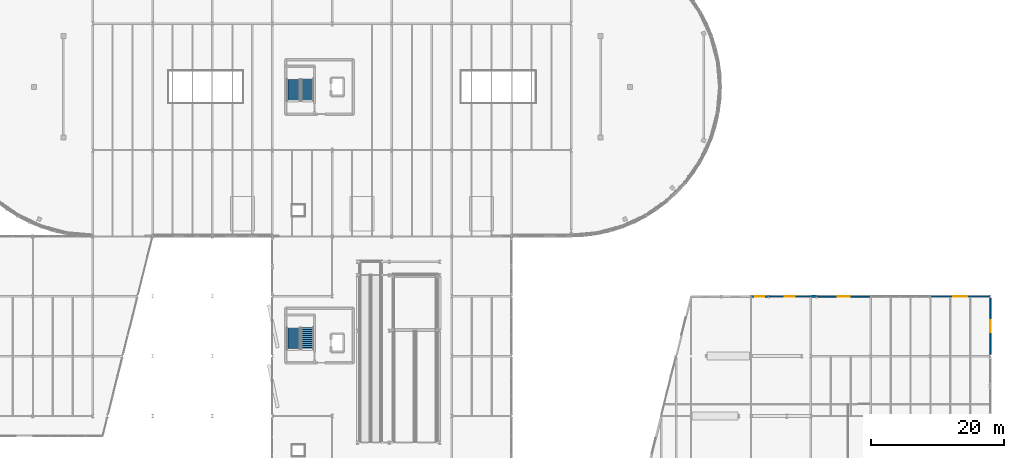
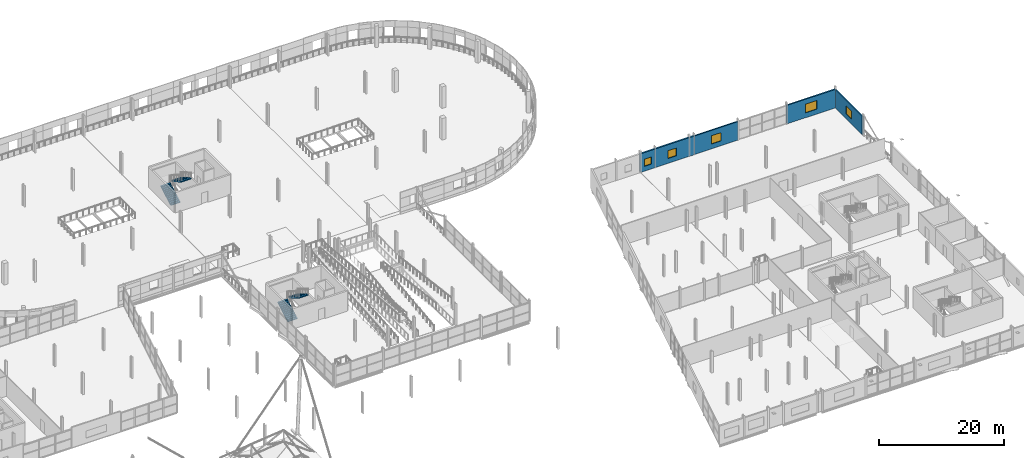
# One storey, part 117 of 132: 6 walls, 5 windows, 4 stair flights, 5 openings, 2 elements without a shape of their own.
"""IFC4 building model written with IfcOpenShell, lengths in metres."""

from ifc_helpers import new_model, si_unit, direction, frame, frame_2d, origin, place, context, subcontext, project, spatial, polyline, rectangle, outline, extrude, material, layer, layer_set, type_object, element, fill, aggregate, save


model = new_model("IFC4")

# Units and contexts
model_context = context("Model", 3, precision=1e-05, world=origin(), true_north=direction((0.0, 1.0)))
body_context = subcontext(model_context, "Body", "Model", "MODEL_VIEW")
ifc_project = project(units=[si_unit("LENGTHUNIT", "METRE"), si_unit("AREAUNIT", "SQUARE_METRE"), si_unit("VOLUMEUNIT", "CUBIC_METRE"), si_unit("PLANEANGLEUNIT", "RADIAN"), si_unit("MASSUNIT", "GRAM", prefix="KILO")], contexts=[model_context])

# Site, building, storey
site_placement = place(None, origin())
site = spatial("IfcSite", under=ifc_project, at=site_placement, CompositionType="ELEMENT")
building_placement = place(site_placement, origin())
building = spatial("IfcBuilding", under=site, at=building_placement, Name="Deido Ridge Mobility Hub", CompositionType="ELEMENT")
storey_placement = place(building_placement, frame((0.0, 0.0, 8.39990234375)))
storey = spatial("IfcBuildingStorey", under=building, at=storey_placement, Name="L02", CompositionType="ELEMENT", Elevation=8.39990234375)

# Wall, opening, window
ifc_material_1 = material(Name="Powder-coated aluminium cladding EN AW-3003", Category="aluminium")
ifc_layer_1 = layer(ifc_material_1, 0.22509765625, Name="Powder-coated aluminium cladding EN AW-3003")
ifc_layer_set_1 = layer_set([ifc_layer_1], Name="Powder-coated aluminium cladding EN AW-3003")
wall_type_1 = type_object("IfcWallType", Name="WL-EXT-ALU-225", PredefinedType="STANDARD", material=ifc_layer_set_1)
wall_1_placement = place(storey_placement, frame((180.0, 63.22509765625, 0.0), z_axis=(0.0, 0.0, 1.0), x_axis=(0.0, 1.0, 0.0)))
wall_1 = element("IfcWall", 1, at=wall_1_placement, inside=storey, type_object=wall_type_1, Name="Exterior wall EW6", PredefinedType="STANDARD", context=body_context, shape_type="SweptSolid", body=[
    extrude(rectangle(XDim=8.594970703125, YDim=0.22509765625, at=frame_2d((4.29736328125, 0.0))), origin(), (0.0, 0.0, 1.0), 3.610107421875),
])
opening_1_placement = place(wall_1_placement, frame((3.3974609375, 0.0, 0.949951171875)))
opening_1 = element("IfcOpeningElement", 2, at=opening_1_placement, cuts=wall_1, Name="Opening W7", PredefinedType="OPENING", context=body_context, shape_type="SweptSolid", body=[
    extrude(rectangle(XDim=1.800048828125, YDim=1.60009765625, at=frame_2d((0.89990234375, 0.800048828125))), frame((0.0, 0.12255859375, 0.0), z_axis=(0.0, -1.0, 0.0), x_axis=(1.0, 0.0, 0.0)), (0.0, 0.0, 1.0), 0.2451171875),
])
ifc_material_2 = material(Name="Laminated solar-control low-E glass", Category="glass")
window_type_1 = type_object("IfcWindowType", Name="WN-ALU-1800X1600", PartitioningType="DOUBLE_PANEL_VERTICAL", PredefinedType="WINDOW", material=ifc_material_2)
window_1_placement = place(opening_1_placement, origin())
window_1 = element("IfcWindow", 3, at=window_1_placement, inside=storey, type_object=window_type_1, Name="Exterior window W7", OverallHeight=1.60009765625, OverallWidth=1.800048828125, PartitioningType="SINGLE_PANEL", PredefinedType="WINDOW", context=body_context, shape_type="SweptSolid", body=[
    extrude(rectangle(XDim=1.800048828125, YDim=1.60009765625, at=frame_2d((0.89990234375, 0.800048828125))), frame((0.0, 0.030029296875, 0.0), z_axis=(0.0, -1.0, 0.0), x_axis=(1.0, 0.0, 0.0)), (0.0, 0.0, 1.0), 0.06005859375),
])
fill(opening_1, window_1)

wall_2_placement = place(storey_placement, frame((153.90625, 72.0, 0.0), z_axis=(0.0, 0.0, 1.0), x_axis=(1.0, 0.0, 0.0)))
wall_2 = element("IfcWall", 4, at=wall_2_placement, inside=storey, type_object=wall_type_1, Name="Exterior wall EW6", PredefinedType="STANDARD", context=body_context, shape_type="SweptSolid", body=[
    extrude(rectangle(XDim=8.087646484375, YDim=0.22509765625, at=frame_2d((4.0439453125, 0.0))), origin(), (0.0, 0.0, 1.0), 3.610107421875),
])
opening_2_placement = place(wall_2_placement, frame((3.143798828125, 0.0, 0.949951171875)))
opening_2 = element("IfcOpeningElement", 5, at=opening_2_placement, cuts=wall_2, Name="Opening W7", PredefinedType="OPENING", context=body_context, shape_type="SweptSolid", body=[
    extrude(rectangle(XDim=1.800048828125, YDim=1.60009765625, at=frame_2d((0.89990234375, 0.800048828125))), frame((0.0, 0.12255859375, 0.0), z_axis=(0.0, -1.0, 0.0), x_axis=(1.0, 0.0, 0.0)), (0.0, 0.0, 1.0), 0.2451171875),
])
window_2_placement = place(opening_2_placement, origin())
window_2 = element("IfcWindow", 6, at=window_2_placement, inside=storey, type_object=window_type_1, Name="Exterior window W7", OverallHeight=1.60009765625, OverallWidth=1.800048828125, PartitioningType="SINGLE_PANEL", PredefinedType="WINDOW", context=body_context, shape_type="SweptSolid", body=[
    extrude(rectangle(XDim=1.800048828125, YDim=1.60009765625, at=frame_2d((0.89990234375, 0.800048828125))), frame((0.0, 0.030029296875, 0.0), z_axis=(0.0, -1.0, 0.0), x_axis=(1.0, 0.0, 0.0)), (0.0, 0.0, 1.0), 0.06005859375),
])
fill(opening_2, window_2)

ifc_material_3 = material(Name="Concrete blockwork masonry", Category="masonry")
ifc_layer_2 = layer(ifc_material_3, 0.264892578125, Name="Concrete blockwork masonry")
ifc_layer_set_2 = layer_set([ifc_layer_2], Name="Concrete blockwork masonry")
wall_type_2 = type_object("IfcWallType", Name="WL-EXT-BLK-265", PredefinedType="STANDARD", material=ifc_layer_set_2)
wall_3_placement = place(storey_placement, frame((146.706298828125, 72.0, 0.0), z_axis=(0.0, 0.0, 1.0), x_axis=(1.0, 0.0, 0.0)))
wall_3 = element("IfcWall", 7, at=wall_3_placement, inside=storey, type_object=wall_type_2, Name="Exterior wall EW3", PredefinedType="STANDARD", context=body_context, shape_type="SweptSolid", body=[
    extrude(rectangle(XDim=6.28759765625, YDim=0.264892578125, at=frame_2d((3.143798828125, 0.0))), origin(), (0.0, 0.0, 1.0), 3.64013671875),
])
opening_3_placement = place(wall_3_placement, frame((2.393798828125, 0.0, 0.949951171875)))
opening_3 = element("IfcOpeningElement", 8, at=opening_3_placement, cuts=wall_3, Name="Opening W5", PredefinedType="OPENING", context=body_context, shape_type="SweptSolid", body=[
    extrude(rectangle(XDim=1.5, YDim=1.5, at=frame_2d((0.75, 0.75))), frame((0.0, 0.142578125, 0.0), z_axis=(0.0, -1.0, 0.0), x_axis=(1.0, 0.0, 0.0)), (0.0, 0.0, 1.0), 0.284912109375),
])
window_type_2 = type_object("IfcWindowType", Name="WN-ALU-1500X1500", PartitioningType="SINGLE_PANEL", PredefinedType="WINDOW", material=ifc_material_2)
window_3_placement = place(opening_3_placement, origin())
window_3 = element("IfcWindow", 9, at=window_3_placement, inside=storey, type_object=window_type_2, Name="Exterior window W5", OverallHeight=1.5, OverallWidth=1.5, PartitioningType="SINGLE_PANEL", PredefinedType="WINDOW", context=body_context, shape_type="SweptSolid", body=[
    extrude(rectangle(XDim=1.5, YDim=1.5, at=frame_2d((0.75, 0.75))), frame((0.0, 0.030029296875, 0.0), z_axis=(0.0, -1.0, 0.0), x_axis=(1.0, 0.0, 0.0)), (0.0, 0.0, 1.0), 0.06005859375),
])
fill(opening_3, window_3)

ifc_material_4 = material(Name="Fired clay brick masonry", Category="masonry")
ifc_layer_3 = layer(ifc_material_4, 0.294921875, Name="Fired clay brick masonry")
ifc_layer_set_3 = layer_set([ifc_layer_3], Name="Fired clay brick masonry")
wall_type_3 = type_object("IfcWallType", Name="WL-EXT-BRK-295", PredefinedType="STANDARD", material=ifc_layer_set_3)
wall_4_placement = place(storey_placement, frame((144.0087890625, 72.0, 0.0), z_axis=(0.0, 0.0, 1.0), x_axis=(1.0, 0.0, 0.0)))
wall_4 = element("IfcWall", 10, at=wall_4_placement, inside=storey, type_object=wall_type_3, Name="Exterior wall EW2", PredefinedType="STANDARD", context=body_context, shape_type="SweptSolid", body=[
    extrude(rectangle(XDim=2.684814453125, YDim=0.294921875, at=frame_2d((1.34228515625, 0.0))), origin(), (0.0, 0.0, 1.0), 3.64013671875),
])
opening_4_placement = place(wall_4_placement, frame((0.66748046875, 0.0, 0.949951171875)))
opening_4 = element("IfcOpeningElement", 11, at=opening_4_placement, cuts=wall_4, Name="Opening W4", PredefinedType="OPENING", context=body_context, shape_type="SweptSolid", body=[
    extrude(rectangle(XDim=1.35009765625, YDim=1.39990234375, at=frame_2d((0.675048828125, 0.699951171875))), frame((0.0, 0.157470703125, 0.0), z_axis=(0.0, -1.0, 0.0), x_axis=(1.0, 0.0, 0.0)), (0.0, 0.0, 1.0), 0.31494140625),
])
window_type_3 = type_object("IfcWindowType", Name="WN-ALU-1350X1400", PartitioningType="SINGLE_PANEL", PredefinedType="WINDOW", material=ifc_material_2)
window_4_placement = place(opening_4_placement, origin())
window_4 = element("IfcWindow", 12, at=window_4_placement, inside=storey, type_object=window_type_3, Name="Exterior window W4", OverallHeight=1.39990234375, OverallWidth=1.35009765625, PartitioningType="SINGLE_PANEL", PredefinedType="WINDOW", context=body_context, shape_type="SweptSolid", body=[
    extrude(rectangle(XDim=1.35009765625, YDim=1.39990234375, at=frame_2d((0.675048828125, 0.699951171875))), frame((0.0, 0.030029296875, 0.0), z_axis=(0.0, -1.0, 0.0), x_axis=(1.0, 0.0, 0.0)), (0.0, 0.0, 1.0), 0.06005859375),
])
fill(opening_4, window_4)

# Wall
ifc_material_5 = material(Name="Concrete C35/45", Category="concrete")
ifc_layer_4 = layer(ifc_material_5, 0.340087890625, Name="Concrete C35/45")
ifc_layer_set_4 = layer_set([ifc_layer_4], Name="Concrete C35/45")
wall_type_4 = type_object("IfcWallType", Name="WL-EXT-RC-340", PredefinedType="STANDARD", material=ifc_layer_set_4)
wall_5_placement = place(storey_placement, frame((153.006103515625, 72.0, 0.0), z_axis=(0.0, 0.0, 1.0), x_axis=(1.0, 0.0, 0.0)))
element("IfcWall", 13, at=wall_5_placement, inside=storey, type_object=wall_type_4, Name="Exterior wall EW5", PredefinedType="STANDARD", context=body_context, shape_type="SweptSolid", body=[
    extrude(rectangle(XDim=0.8876953125, YDim=0.340087890625, at=frame_2d((0.44384765625, 0.0))), origin(), (0.0, 0.0, 1.0), 3.64013671875),
])

# Wall, opening, window
ifc_layer_5 = layer(ifc_material_3, 0.2548828125, Name="Concrete blockwork masonry")
ifc_layer_set_5 = layer_set([ifc_layer_5], Name="Concrete blockwork masonry")
wall_type_5 = type_object("IfcWallType", Name="WL-PLG-BLK-255", PredefinedType="POLYGONAL", material=ifc_layer_set_5)
wall_6_placement = place(storey_placement, frame((171.006103515625, 72.0, 0.0), z_axis=(0.0, 0.0, 1.0), x_axis=(1.0, 0.0, 0.0)))
wall_6 = element("IfcWall", 14, at=wall_6_placement, inside=storey, type_object=wall_type_5, Name="Exterior wall PGW2", PredefinedType="POLYGONAL", context=body_context, shape_type="SweptSolid", body=[
    extrude(rectangle(XDim=8.98779296875, YDim=0.2548828125, at=frame_2d((4.493896484375, 0.0))), origin(), (0.0, 0.0, 1.0), 3.610107421875),
])
opening_5_placement = place(wall_6_placement, frame((3.44384765625, 0.0, 0.949951171875)))
opening_5 = element("IfcOpeningElement", 15, at=opening_5_placement, cuts=wall_6, Name="Opening W9", PredefinedType="OPENING", context=body_context, shape_type="SweptSolid", body=[
    extrude(rectangle(XDim=2.10009765625, YDim=1.699951171875, at=frame_2d((1.050048828125, 0.85009765625))), frame((0.0, 0.137451171875, 0.0), z_axis=(0.0, -1.0, 0.0), x_axis=(1.0, 0.0, 0.0)), (0.0, 0.0, 1.0), 0.27490234375),
])
window_type_4 = type_object("IfcWindowType", Name="WN-ALU-2100X1700", PartitioningType="DOUBLE_PANEL_VERTICAL", PredefinedType="WINDOW", material=ifc_material_2)
window_5_placement = place(opening_5_placement, origin())
window_5 = element("IfcWindow", 16, at=window_5_placement, inside=storey, type_object=window_type_4, Name="Exterior window W9", OverallHeight=1.699951171875, OverallWidth=2.10009765625, PartitioningType="SINGLE_PANEL", PredefinedType="WINDOW", context=body_context, shape_type="SweptSolid", body=[
    extrude(rectangle(XDim=2.10009765625, YDim=1.699951171875, at=frame_2d((1.050048828125, 0.85009765625))), frame((0.0, 0.030029296875, 0.0), z_axis=(0.0, -1.0, 0.0), x_axis=(1.0, 0.0, 0.0)), (0.0, 0.0, 1.0), 0.06005859375),
])
fill(opening_5, window_5)

# Stair, stair flights
stair_type = type_object("IfcStairType", Name="ST-CORE-DBL-1520", PredefinedType="DOUBLE_RETURN_STAIR", material=ifc_material_5)
stair_1_placement = place(storey_placement, origin())
stair_1 = element("IfcStair", 17, at=stair_1_placement, inside=storey, type_object=stair_type, Name="Protected exit stair ST4 (L02)", PredefinedType="DOUBLE_RETURN_STAIR")
stair_flight_type = type_object("IfcStairFlightType", Name="SFL-RC-1520", PredefinedType="STRAIGHT", material=ifc_material_5)
stair_flight_1_placement = place(storey_placement, frame((75.2900390625, 63.949951171875, 0.0), z_axis=(0.0, 0.0, 1.0), x_axis=(0.0, 1.0, 0.0)))
stair_flight_1 = element("IfcStairFlight", 18, at=stair_flight_1_placement, type_object=stair_flight_type, Name="ST4 flight 1", NumberOfRisers=12, NumberOfTreads=11, PredefinedType="STRAIGHT", RiserHeight=0.175, TreadLength=0.3, context=body_context, shape_type="SweptSolid", body=[
    extrude(outline(polyline([(0.0, 0.0), (0.0, 0.175048828125), (0.300048828125, 0.175048828125), (0.300048828125, 0.35009765625), (0.60009765625, 0.35009765625), (0.60009765625, 0.52490234375), (0.89990234375, 0.52490234375), (0.89990234375, 0.699951171875), (1.199951171875, 0.699951171875), (1.199951171875, 0.875), (1.5, 0.875), (1.5, 1.050048828125), (1.800048828125, 1.050048828125), (1.800048828125, 1.22509765625), (2.10009765625, 1.22509765625), (2.10009765625, 1.39990234375), (2.39990234375, 1.39990234375), (2.39990234375, 1.574951171875), (2.699951171875, 1.574951171875), (2.699951171875, 1.75), (3.0, 1.75), (3.0, 1.925048828125), (3.300048828125, 1.925048828125), (3.300048828125, 2.10009765625), (3.300048828125, 1.716796875), (0.357177734375, 0.0), (0.0, 0.0)])), frame((0.0, 0.89013671875, 0.0), z_axis=(0.0, -1.0, 0.0), x_axis=(1.0, 0.0, 0.0)), (0.0, 0.0, 1.0), 1.780029296875),
])
stair_flight_2_placement = place(storey_placement, frame((77.31005859375, 67.300048828125, 2.10009765625), z_axis=(0.0, 0.0, 1.0), x_axis=(0.0, -1.0, 0.0)))
stair_flight_2 = element("IfcStairFlight", 19, at=stair_flight_2_placement, type_object=stair_flight_type, Name="ST4 flight 2", NumberOfRisers=12, NumberOfTreads=11, PredefinedType="STRAIGHT", RiserHeight=0.175, TreadLength=0.3, context=body_context, shape_type="SweptSolid", body=[
    extrude(outline(polyline([(0.0, 0.0), (0.0, 0.175048828125), (0.300048828125, 0.175048828125), (0.300048828125, 0.35009765625), (0.60009765625, 0.35009765625), (0.60009765625, 0.52490234375), (0.89990234375, 0.52490234375), (0.89990234375, 0.699951171875), (1.199951171875, 0.699951171875), (1.199951171875, 0.875), (1.5, 0.875), (1.5, 1.050048828125), (1.800048828125, 1.050048828125), (1.800048828125, 1.22509765625), (2.10009765625, 1.22509765625), (2.10009765625, 1.39990234375), (2.39990234375, 1.39990234375), (2.39990234375, 1.574951171875), (2.699951171875, 1.574951171875), (2.699951171875, 1.75), (3.0, 1.75), (3.0, 1.925048828125), (3.300048828125, 1.925048828125), (3.300048828125, 2.10009765625), (3.300048828125, 1.716796875), (0.357177734375, 0.0), (0.0, 0.0)])), frame((0.0, 0.89013671875, 0.0), z_axis=(0.0, -1.0, 0.0), x_axis=(1.0, 0.0, 0.0)), (0.0, 0.0, 1.0), 1.780029296875),
])
aggregate(stair_1, [stair_flight_1, stair_flight_2])

stair_2_placement = place(storey_placement, origin())
stair_2 = element("IfcStair", 20, at=stair_2_placement, inside=storey, type_object=stair_type, Name="Protected exit stair ST5 (L02)", PredefinedType="DOUBLE_RETURN_STAIR")
stair_flight_3_placement = place(storey_placement, frame((75.2900390625, 101.35009765625, 0.0), z_axis=(0.0, 0.0, 1.0), x_axis=(0.0, 1.0, 0.0)))
stair_flight_3 = element("IfcStairFlight", 21, at=stair_flight_3_placement, type_object=stair_flight_type, Name="ST5 flight 1", NumberOfRisers=12, NumberOfTreads=11, PredefinedType="STRAIGHT", RiserHeight=0.175, TreadLength=0.3, context=body_context, shape_type="SweptSolid", body=[
    extrude(outline(polyline([(0.0, 0.0), (0.0, 0.175048828125), (0.300048828125, 0.175048828125), (0.300048828125, 0.35009765625), (0.60009765625, 0.35009765625), (0.60009765625, 0.52490234375), (0.89990234375, 0.52490234375), (0.89990234375, 0.699951171875), (1.199951171875, 0.699951171875), (1.199951171875, 0.875), (1.5, 0.875), (1.5, 1.050048828125), (1.800048828125, 1.050048828125), (1.800048828125, 1.22509765625), (2.10009765625, 1.22509765625), (2.10009765625, 1.39990234375), (2.39990234375, 1.39990234375), (2.39990234375, 1.574951171875), (2.699951171875, 1.574951171875), (2.699951171875, 1.75), (3.0, 1.75), (3.0, 1.925048828125), (3.300048828125, 1.925048828125), (3.300048828125, 2.10009765625), (3.300048828125, 1.716796875), (0.357177734375, 0.0), (0.0, 0.0)])), frame((0.0, 0.89013671875, 0.0), z_axis=(0.0, -1.0, 0.0), x_axis=(1.0, 0.0, 0.0)), (0.0, 0.0, 1.0), 1.780029296875),
])
stair_flight_4_placement = place(storey_placement, frame((77.31005859375, 104.699951171875, 2.10009765625), z_axis=(0.0, 0.0, 1.0), x_axis=(0.0, -1.0, 0.0)))
stair_flight_4 = element("IfcStairFlight", 22, at=stair_flight_4_placement, type_object=stair_flight_type, Name="ST5 flight 2", NumberOfRisers=12, NumberOfTreads=11, PredefinedType="STRAIGHT", RiserHeight=0.175, TreadLength=0.3, context=body_context, shape_type="SweptSolid", body=[
    extrude(outline(polyline([(0.0, 0.0), (0.0, 0.175048828125), (0.300048828125, 0.175048828125), (0.300048828125, 0.35009765625), (0.60009765625, 0.35009765625), (0.60009765625, 0.52490234375), (0.89990234375, 0.52490234375), (0.89990234375, 0.699951171875), (1.199951171875, 0.699951171875), (1.199951171875, 0.875), (1.5, 0.875), (1.5, 1.050048828125), (1.800048828125, 1.050048828125), (1.800048828125, 1.22509765625), (2.10009765625, 1.22509765625), (2.10009765625, 1.39990234375), (2.39990234375, 1.39990234375), (2.39990234375, 1.574951171875), (2.699951171875, 1.574951171875), (2.699951171875, 1.75), (3.0, 1.75), (3.0, 1.925048828125), (3.300048828125, 1.925048828125), (3.300048828125, 2.10009765625), (3.300048828125, 1.716796875), (0.357177734375, 0.0), (0.0, 0.0)])), frame((0.0, 0.89013671875, 0.0), z_axis=(0.0, -1.0, 0.0), x_axis=(1.0, 0.0, 0.0)), (0.0, 0.0, 1.0), 1.780029296875),
])
aggregate(stair_2, [stair_flight_3, stair_flight_4])

save(model, "model.ifc")
